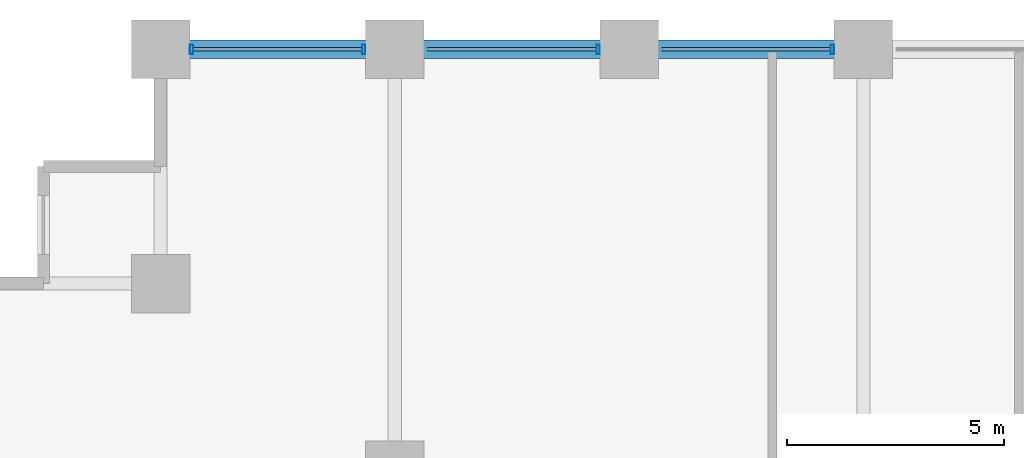
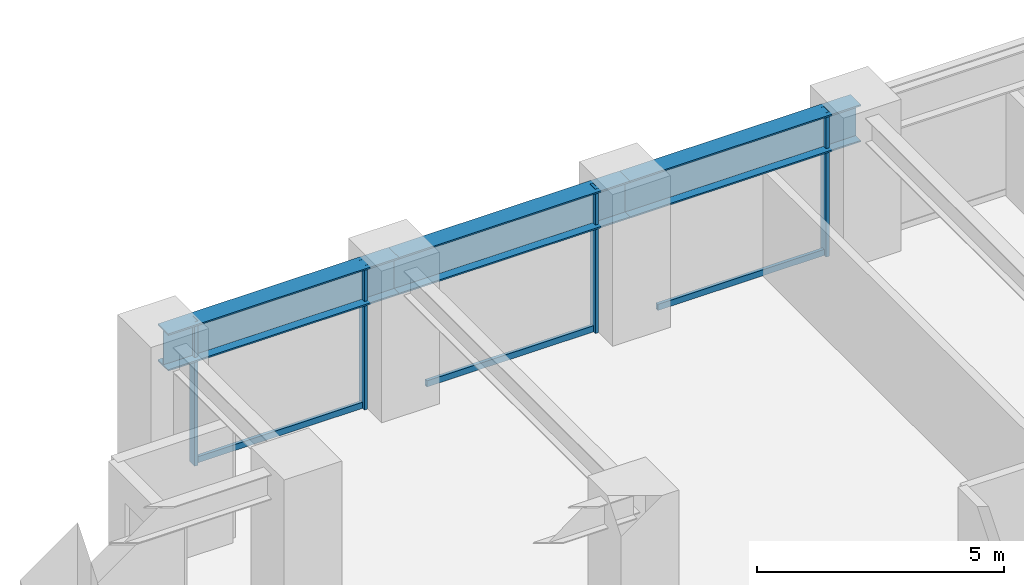
# One storey, part 12 of 24: 7 members, 3 beams, 1 element without a shape of its own.
"""IFC4 building model written with IfcOpenShell, lengths in metres."""

from ifc_helpers import new_model, si_unit, direction, frame, origin, origin_2d, place, context, subcontext, project, spatial, hollow_rectangle, i_section, extrude, material, layer, layer_set, material_profile, profile_set, type_object, element, aggregate, save


model = new_model("IFC4")

# Units and contexts
model_context = context("Model", 3, precision=1e-05, world=origin(), true_north=direction((0.0, 1.0)))
body_context = subcontext(model_context, "Body", "Model", "MODEL_VIEW")
ifc_project = project(units=[si_unit("LENGTHUNIT", "METRE"), si_unit("AREAUNIT", "SQUARE_METRE"), si_unit("VOLUMEUNIT", "CUBIC_METRE"), si_unit("PLANEANGLEUNIT", "RADIAN"), si_unit("MASSUNIT", "GRAM", prefix="KILO")], contexts=[model_context])

# Site, building, storey
site_placement = place(None, origin())
site = spatial("IfcSite", under=ifc_project, at=site_placement, CompositionType="ELEMENT")
building_placement = place(site_placement, origin())
building = spatial("IfcBuilding", under=site, at=building_placement, Name="Surkhivell Harbour Commons", CompositionType="ELEMENT")
storey_placement = place(building_placement, frame((0.0, 0.0, 30.0)))
storey = spatial("IfcBuildingStorey", under=building, at=storey_placement, Name="L07", CompositionType="ELEMENT", Elevation=30.0)

# Beams
ifc_material_1 = material(Name="Steel S460", Category="steel")
ifc_material_profile_1 = material_profile(ifc_material_1, i_section(OverallWidth=0.419921875, OverallDepth=0.9208984375, WebThickness=0.021484375, FlangeThickness=0.03662109375, at=origin_2d()), Name="UB914x419x388")
ifc_profile_set_1 = profile_set([ifc_material_profile_1], Name="Steel S460")
beam_type = type_object("IfcBeamType", Name="BM-SPN-914A", PredefinedType="SPANDREL", material=ifc_profile_set_1)
beam_1_placement = place(storey_placement, frame((-27.0, 25.89990234375, 3.109619140625), z_axis=(1.0, 0.0, 0.0), x_axis=(0.0, 1.0, 0.0)))
element("IfcBeam", 1, at=beam_1_placement, inside=storey, type_object=beam_type, Name="L07 Tube Spandrel (-27.0,25.9)", PredefinedType="SPANDREL", context=body_context, shape_type="SweptSolid", body=[
    extrude(i_section(OverallWidth=0.419921875, OverallDepth=0.9208984375, WebThickness=0.021484375, FlangeThickness=0.03662109375, at=origin_2d()), origin(), (0.0, 0.0, 1.0), 5.39990234375),
])
beam_2_placement = place(storey_placement, frame((-21.60009765625, 25.89990234375, 3.109619140625), z_axis=(1.0, 0.0, 0.0), x_axis=(0.0, 1.0, 0.0)))
element("IfcBeam", 2, at=beam_2_placement, inside=storey, type_object=beam_type, Name="L07 Tube Spandrel (-21.6,25.9)", PredefinedType="SPANDREL", context=body_context, shape_type="SweptSolid", body=[
    extrude(i_section(OverallWidth=0.419921875, OverallDepth=0.9208984375, WebThickness=0.021484375, FlangeThickness=0.03662109375, at=origin_2d()), origin(), (0.0, 0.0, 1.0), 5.400146484375),
])
beam_3_placement = place(storey_placement, frame((-16.199951171875, 25.89990234375, 3.109619140625), z_axis=(1.0, 0.0, 0.0), x_axis=(0.0, 1.0, 0.0)))
element("IfcBeam", 3, at=beam_3_placement, inside=storey, type_object=beam_type, Name="L07 Tube Spandrel (-16.2,25.9)", PredefinedType="SPANDREL", context=body_context, shape_type="SweptSolid", body=[
    extrude(i_section(OverallWidth=0.419921875, OverallDepth=0.9208984375, WebThickness=0.021484375, FlangeThickness=0.03662109375, at=origin_2d()), origin(), (0.0, 0.0, 1.0), 5.39990234375),
])

# Curtain wall, members
ifc_material_2 = material(Name="Anodised pale-metal aluminium and insulated glazing", Category="aluminium")
ifc_layer = layer(ifc_material_2, 0.219970703125)
ifc_layer_set = layer_set([ifc_layer], Name="Anodised pale-metal aluminium and insulated glazing")
curtain_wall_type = type_object("IfcCurtainWallType", Name="CW-SYS-Z1", PredefinedType="NOTDEFINED", material=ifc_layer_set)
curtain_wall_placement = place(storey_placement, origin())
curtain_wall = element("IfcCurtainWall", 4, at=curtain_wall_placement, inside=storey, type_object=curtain_wall_type, Name="L07 Curtain Wall CW-L07-E07S2", PredefinedType="NOTDEFINED")
ifc_material_3 = material(Name="Anodised pale-metal aluminium alloy 6063-T6", Category="aluminium")
ifc_material_profile_2 = material_profile(ifc_material_3, hollow_rectangle(XDim=0.074951171875, YDim=0.219970703125, WallThickness=0.00390625, at=origin_2d()), Name="ALU-MULL-75x220")
ifc_profile_set_2 = profile_set([ifc_material_profile_2], Name="Anodised pale-metal aluminium alloy 6063-T6")
member_type_1 = type_object("IfcMemberType", Name="CWM-220", PredefinedType="MULLION", material=ifc_profile_set_2)
member_1_placement = place(storey_placement, frame((-11.514404296875, 25.89990234375, 0.0), z_axis=(0.0, 0.0, 1.0), x_axis=(-1.0, 0.0, 0.0)))
member_1 = element("IfcMember", 5, at=member_1_placement, type_object=member_type_1, Name="CW-Z1 mullion 2", PredefinedType="MULLION", context=body_context, shape_type="SweptSolid", body=[
    extrude(hollow_rectangle(XDim=0.074951171875, YDim=0.219970703125, WallThickness=0.00390625, at=origin_2d()), origin(), (0.0, 0.0, 1.0), 3.570068359375),
])
member_2_placement = place(storey_placement, frame((-16.91455078125, 25.89990234375, 0.0), z_axis=(0.0, 0.0, 1.0), x_axis=(-1.0, 0.0, 0.0)))
member_2 = element("IfcMember", 6, at=member_2_placement, type_object=member_type_1, Name="CW-Z1 mullion 3", PredefinedType="MULLION", context=body_context, shape_type="SweptSolid", body=[
    extrude(hollow_rectangle(XDim=0.074951171875, YDim=0.219970703125, WallThickness=0.00390625, at=origin_2d()), origin(), (0.0, 0.0, 1.0), 3.570068359375),
])
member_3_placement = place(storey_placement, frame((-22.314453125, 25.89990234375, 0.0), z_axis=(0.0, 0.0, 1.0), x_axis=(-1.0, 0.0, 0.0)))
member_3 = element("IfcMember", 7, at=member_3_placement, type_object=member_type_1, Name="CW-Z1 mullion 4", PredefinedType="MULLION", context=body_context, shape_type="SweptSolid", body=[
    extrude(hollow_rectangle(XDim=0.074951171875, YDim=0.219970703125, WallThickness=0.00390625, at=origin_2d()), origin(), (0.0, 0.0, 1.0), 3.570068359375),
])
member_4_placement = place(storey_placement, frame((-26.285400390625, 25.89990234375, 0.0), z_axis=(0.0, 0.0, 1.0), x_axis=(-1.0, 0.0, 0.0)))
member_4 = element("IfcMember", 8, at=member_4_placement, type_object=member_type_1, Name="CW-Z1 mullion 5", PredefinedType="MULLION", context=body_context, shape_type="SweptSolid", body=[
    extrude(hollow_rectangle(XDim=0.074951171875, YDim=0.219970703125, WallThickness=0.00390625, at=origin_2d()), origin(), (0.0, 0.0, 1.0), 3.570068359375),
])
ifc_material_profile_3 = material_profile(ifc_material_3, hollow_rectangle(XDim=0.074951171875, YDim=0.14990234375, WallThickness=0.00341796875, at=origin_2d()), Name="ALU-TRAN-75x150")
ifc_profile_set_3 = profile_set([ifc_material_profile_3], Name="Anodised pale-metal aluminium alloy 6063-T6")
member_type_2 = type_object("IfcMemberType", Name="CWT-150", PredefinedType="USERDEFINED", material=ifc_profile_set_3)
member_5_placement = place(storey_placement, frame((-11.552001953125, 25.89990234375, 0.074951171875), z_axis=(-1.0, 0.0, 0.0), x_axis=(0.0, -1.0, 0.0)))
member_5 = element("IfcMember", 9, at=member_5_placement, type_object=member_type_2, Name="CW-Z1 transom 2.1", ObjectType="TRANSOM", PredefinedType="USERDEFINED", context=body_context, shape_type="SweptSolid", body=[
    extrude(hollow_rectangle(XDim=0.074951171875, YDim=0.14990234375, WallThickness=0.00341796875, at=origin_2d()), origin(), (0.0, 0.0, 1.0), 3.89599609375),
])
member_6_placement = place(storey_placement, frame((-16.951904296875, 25.89990234375, 0.074951171875), z_axis=(-1.0, 0.0, 0.0), x_axis=(0.0, -1.0, 0.0)))
member_6 = element("IfcMember", 10, at=member_6_placement, type_object=member_type_2, Name="CW-Z1 transom 3.1", ObjectType="TRANSOM", PredefinedType="USERDEFINED", context=body_context, shape_type="SweptSolid", body=[
    extrude(hollow_rectangle(XDim=0.074951171875, YDim=0.14990234375, WallThickness=0.00341796875, at=origin_2d()), origin(), (0.0, 0.0, 1.0), 3.89599609375),
])
member_7_placement = place(storey_placement, frame((-22.35205078125, 25.89990234375, 0.074951171875), z_axis=(-1.0, 0.0, 0.0), x_axis=(0.0, -1.0, 0.0)))
member_7 = element("IfcMember", 11, at=member_7_placement, type_object=member_type_2, Name="CW-Z1 transom 4.1", ObjectType="TRANSOM", PredefinedType="USERDEFINED", context=body_context, shape_type="SweptSolid", body=[
    extrude(hollow_rectangle(XDim=0.074951171875, YDim=0.14990234375, WallThickness=0.00341796875, at=origin_2d()), origin(), (0.0, 0.0, 1.0), 3.89599609375),
])
aggregate(curtain_wall, [member_1, member_5, member_2, member_6, member_3, member_4, member_7])

save(model, "model.ifc")
